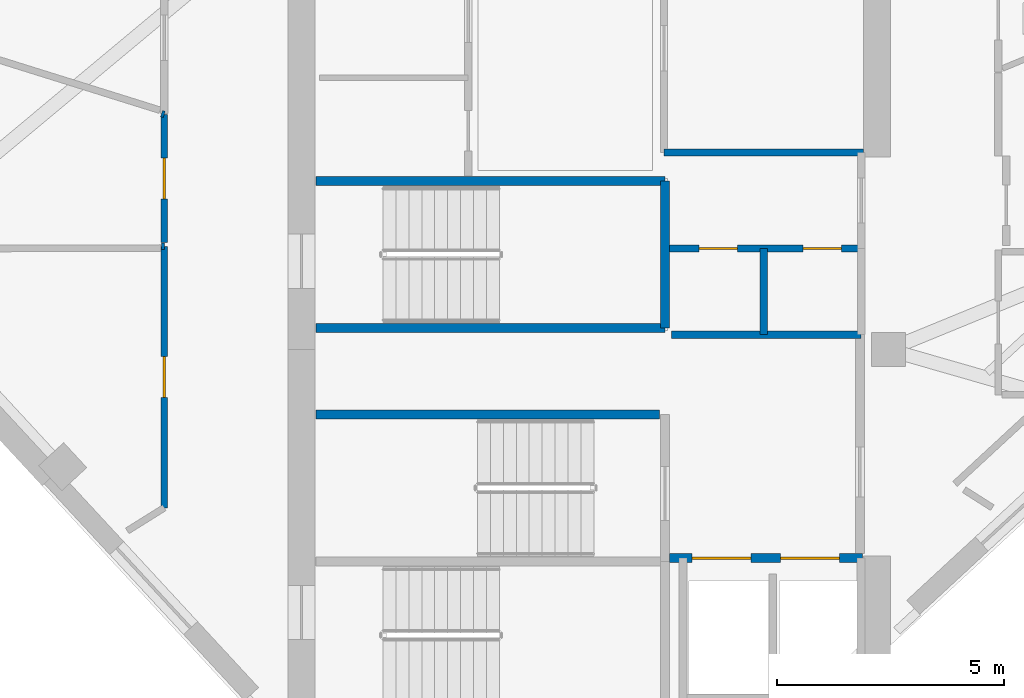
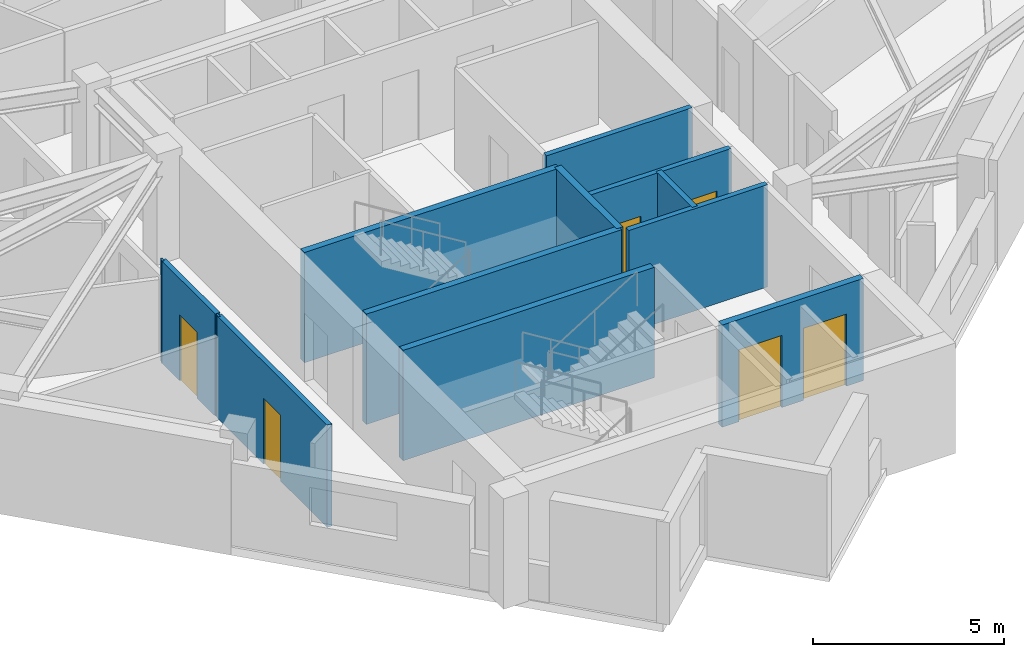
# One storey, part 8 of 13: 13 walls, 6 doors, 6 openings.
"""IFC4 building model written with IfcOpenShell, lengths in metres."""

from ifc_helpers import new_model, si_unit, direction, frame, frame_2d, origin, place, context, subcontext, project, spatial, rectangle, extrude, material, layer, layer_set, type_object, element, fill, save


model = new_model("IFC4")

# Units and contexts
model_context = context("Model", 3, precision=1e-05, world=origin(), true_north=direction((0.0, 1.0)))
body_context = subcontext(model_context, "Body", "Model", "MODEL_VIEW")
ifc_project = project(units=[si_unit("LENGTHUNIT", "METRE"), si_unit("AREAUNIT", "SQUARE_METRE"), si_unit("VOLUMEUNIT", "CUBIC_METRE"), si_unit("PLANEANGLEUNIT", "RADIAN"), si_unit("MASSUNIT", "GRAM", prefix="KILO")], contexts=[model_context])

# Site, building, storey
site_placement = place(None, origin())
site = spatial("IfcSite", under=ifc_project, at=site_placement, CompositionType="ELEMENT")
building_placement = place(site_placement, origin())
building = spatial("IfcBuilding", under=site, at=building_placement, Name="Narakoshi Arena Tower", CompositionType="ELEMENT")
storey_placement = place(building_placement, frame((0.0, 0.0, 271.300048828125)))
storey = spatial("IfcBuildingStorey", under=building, at=storey_placement, Name="L74", CompositionType="ELEMENT", Elevation=271.300048828125)

# Wall, openings, doors
ifc_material_1 = material(Name="Concrete C40/50", Category="concrete")
ifc_layer_1 = layer(ifc_material_1, 0.280029296875)
ifc_layer_set_1 = layer_set([ifc_layer_1], Name="Concrete C40/50")
wall_type_1 = type_object("IfcWallType", Name="WL-RISER-280", PredefinedType="PLUMBINGWALL", material=ifc_layer_set_1)
wall_1_placement = place(storey_placement, frame((80.719970703125, 45.580078125, 0.0), z_axis=(0.0, 0.0, 1.0), x_axis=(1.0, 0.0, 0.0)))
wall_1 = element("IfcWall", 1, at=wall_1_placement, inside=storey, type_object=wall_type_1, Name="L74 Core Wall RSR-N", PredefinedType="PLUMBINGWALL", context=body_context, shape_type="SweptSolid", body=[
    extrude(rectangle(XDim=4.22998046875, YDim=0.159912109375, at=frame_2d((2.114990234375, 0.0))), origin(), (0.0, 0.0, 1.0), 3.260009765625),
])
opening_1_placement = place(wall_1_placement, frame((0.64990234375, 0.0, 0.0)))
opening_1 = element("IfcOpeningElement", 2, at=opening_1_placement, cuts=wall_1, Name="Opening D-10", PredefinedType="OPENING", context=body_context, shape_type="SweptSolid", body=[
    extrude(rectangle(XDim=0.85009765625, YDim=2.050048828125, at=frame_2d((0.425048828125, 1.02490234375))), frame((0.0, 0.08984375, 0.0), z_axis=(0.0, -1.0, 0.0), x_axis=(1.0, 0.0, 0.0)), (0.0, 0.0, 1.0), 0.179931640625),
])
opening_2_placement = place(wall_1_placement, frame((2.949951171875, 0.0, 0.0)))
opening_2 = element("IfcOpeningElement", 3, at=opening_2_placement, cuts=wall_1, Name="Opening D-10", PredefinedType="OPENING", context=body_context, shape_type="SweptSolid", body=[
    extrude(rectangle(XDim=0.85009765625, YDim=2.050048828125, at=frame_2d((0.425048828125, 1.02490234375))), frame((0.0, 0.08984375, 0.0), z_axis=(0.0, -1.0, 0.0), x_axis=(1.0, 0.0, 0.0)), (0.0, 0.0, 1.0), 0.179931640625),
])
ifc_material_2 = material(Name="Painted galvanized steel", Category="steel")
door_type_1 = type_object("IfcDoorType", Name="DR-RSR-850", OperationType="NOTDEFINED", PredefinedType="DOOR", material=ifc_material_2)
door_1_placement = place(opening_1_placement, frame((0.85009765625, 0.0, 0.0), z_axis=(0.0, 0.0, 1.0), x_axis=(-1.0, 0.0, 0.0)))
door_1 = element("IfcDoor", 4, at=door_1_placement, inside=storey, type_object=door_type_1, Name="DR-L74-008", OperationType="SINGLE_SWING_LEFT", OverallHeight=2.050048828125, OverallWidth=0.85009765625, PredefinedType="DOOR", context=body_context, shape_type="SweptSolid", body=[
    extrude(rectangle(XDim=0.85009765625, YDim=2.050048828125, at=frame_2d((0.425048828125, 1.02490234375))), frame((0.0, 0.02490234375, 0.0), z_axis=(0.0, -1.0, 0.0), x_axis=(1.0, 0.0, 0.0)), (0.0, 0.0, 1.0), 0.050048828125),
])
fill(opening_1, door_1)
door_2_placement = place(opening_2_placement, frame((0.85009765625, 0.0, 0.0), z_axis=(0.0, 0.0, 1.0), x_axis=(-1.0, 0.0, 0.0)))
door_2 = element("IfcDoor", 5, at=door_2_placement, inside=storey, type_object=door_type_1, Name="DR-L74-009", OperationType="SINGLE_SWING_RIGHT", OverallHeight=2.050048828125, OverallWidth=0.85009765625, PredefinedType="DOOR", context=body_context, shape_type="SweptSolid", body=[
    extrude(rectangle(XDim=0.85009765625, YDim=2.050048828125, at=frame_2d((0.425048828125, 1.02490234375))), frame((0.0, 0.02490234375, 0.0), z_axis=(0.0, -1.0, 0.0), x_axis=(1.0, 0.0, 0.0)), (0.0, 0.0, 1.0), 0.050048828125),
])
fill(opening_2, door_2)

# Walls
wall_2_placement = place(storey_placement, frame((80.760009765625, 43.679931640625, 0.0), z_axis=(0.0, 0.0, 1.0), x_axis=(1.0, 0.0, 0.0)))
element("IfcWall", 6, at=wall_2_placement, inside=storey, type_object=wall_type_1, Name="L74 Core Wall RSR-S", PredefinedType="PLUMBINGWALL", context=body_context, shape_type="SweptSolid", body=[
    extrude(rectangle(XDim=4.18994140625, YDim=0.159912109375, at=frame_2d((2.094970703125, 0.0))), origin(), (0.0, 0.0, 1.0), 3.260009765625),
])
wall_3_placement = place(storey_placement, frame((82.800048828125, 43.679931640625, 0.0), z_axis=(0.0, 0.0, 1.0), x_axis=(0.0, 1.0, 0.0)))
element("IfcWall", 7, at=wall_3_placement, inside=storey, type_object=wall_type_1, Name="L74 Core Wall RSR-M", PredefinedType="PLUMBINGWALL", context=body_context, shape_type="SweptSolid", body=[
    extrude(rectangle(XDim=1.900146484375, YDim=0.159912109375, at=frame_2d((0.9501953125, 0.0))), origin(), (0.0, 0.0, 1.0), 3.260009765625),
])

# Wall, openings, doors
ifc_material_3 = material(Name="Concrete C50/60", Category="concrete")
ifc_layer_2 = layer(ifc_material_3, 0.35009765625)
ifc_layer_set_2 = layer_set([ifc_layer_2], Name="Concrete C50/60")
wall_type_2 = type_object("IfcWallType", Name="WL-SHAFT-350", PredefinedType="SOLIDWALL", material=ifc_layer_set_2)
wall_4_placement = place(storey_placement, frame((80.719970703125, 38.75, 0.0), z_axis=(0.0, 0.0, 1.0), x_axis=(1.0, 0.0, 0.0)))
wall_4 = element("IfcWall", 8, at=wall_4_placement, inside=storey, type_object=wall_type_2, Name="L74 Core Wall FF-N", PredefinedType="SOLIDWALL", context=body_context, shape_type="SweptSolid", body=[
    extrude(rectangle(XDim=4.260009765625, YDim=0.199951171875, at=frame_2d((2.1298828125, 0.0))), origin(), (0.0, 0.0, 1.0), 3.260009765625),
])
opening_3_placement = place(wall_4_placement, frame((0.5, 0.0, 0.0)))
opening_3 = element("IfcOpeningElement", 9, at=opening_3_placement, cuts=wall_4, Name="Opening LD-02", PredefinedType="OPENING", context=body_context, shape_type="SweptSolid", body=[
    extrude(rectangle(XDim=1.300048828125, YDim=2.300048828125, at=frame_2d((0.64990234375, 1.14990234375))), frame((0.0, 0.10986328125, 0.0), z_axis=(0.0, -1.0, 0.0), x_axis=(1.0, 0.0, 0.0)), (0.0, 0.0, 1.0), 0.219970703125),
])
opening_4_placement = place(wall_4_placement, frame((2.449951171875, 0.0, 0.0)))
opening_4 = element("IfcOpeningElement", 10, at=opening_4_placement, cuts=wall_4, Name="Opening LD-02", PredefinedType="OPENING", context=body_context, shape_type="SweptSolid", body=[
    extrude(rectangle(XDim=1.300048828125, YDim=2.300048828125, at=frame_2d((0.64990234375, 1.14990234375))), frame((0.0, 0.10986328125, 0.0), z_axis=(0.0, -1.0, 0.0), x_axis=(1.0, 0.0, 0.0)), (0.0, 0.0, 1.0), 0.219970703125),
])
ifc_material_4 = material(Name="Brushed bronze stainless steel", Category="steel")
door_type_2 = type_object("IfcDoorType", Name="DR-LFT-1300", OperationType="DOUBLE_DOOR_SLIDING", PredefinedType="DOOR", material=ifc_material_4)
door_3_placement = place(opening_3_placement, origin())
door_3 = element("IfcDoor", 11, at=door_3_placement, inside=storey, type_object=door_type_2, Name="DR-L74-003", OperationType="DOUBLE_DOOR_SLIDING", OverallHeight=2.300048828125, OverallWidth=1.300048828125, PredefinedType="DOOR", context=body_context, shape_type="SweptSolid", body=[
    extrude(rectangle(XDim=1.300048828125, YDim=2.300048828125, at=frame_2d((0.64990234375, 1.14990234375))), frame((0.0, 0.02490234375, 0.0), z_axis=(0.0, -1.0, 0.0), x_axis=(1.0, 0.0, 0.0)), (0.0, 0.0, 1.0), 0.050048828125),
])
fill(opening_3, door_3)
door_4_placement = place(opening_4_placement, origin())
door_4 = element("IfcDoor", 12, at=door_4_placement, inside=storey, type_object=door_type_2, Name="DR-L74-004", OperationType="DOUBLE_DOOR_SLIDING", OverallHeight=2.300048828125, OverallWidth=1.300048828125, PredefinedType="DOOR", context=body_context, shape_type="SweptSolid", body=[
    extrude(rectangle(XDim=1.300048828125, YDim=2.300048828125, at=frame_2d((0.64990234375, 1.14990234375))), frame((0.0, 0.02490234375, 0.0), z_axis=(0.0, -1.0, 0.0), x_axis=(1.0, 0.0, 0.0)), (0.0, 0.0, 1.0), 0.050048828125),
])
fill(opening_4, door_4)

# Walls
wall_5_placement = place(storey_placement, frame((72.919921875, 41.919921875, -0.260009765625), z_axis=(0.0, 0.0, 1.0), x_axis=(1.0, 0.0, 0.0)))
element("IfcWall", 13, at=wall_5_placement, inside=storey, type_object=wall_type_2, Name="L74 Core Wall ST2-N", PredefinedType="SOLIDWALL", context=body_context, shape_type="SweptSolid", body=[
    extrude(rectangle(XDim=7.580078125, YDim=0.199951171875, at=frame_2d((3.7900390625, 0.0))), origin(), (0.0, 0.0, 1.0), 3.52001953125),
])
for number, where, z_axis, x_axis, name in (
    (14, (72.919921875, 43.830078125, -0.260009765625), (0.0, 0.0, 1.0), (1.0, 0.0, 0.0), "L74 Core Wall ST3-S"),
    (15, (72.919921875, 47.070068359375, -0.260009765625), (0.0, 0.0, 1.0), (1.0, 0.0, 0.0), "L74 Core Wall ST3-N"),
):
    element("IfcWall", number, at=place(storey_placement, frame(where, z_axis=z_axis, x_axis=x_axis)), inside=storey, type_object=wall_type_2, Name=name, PredefinedType="SOLIDWALL", context=body_context, shape_type="SweptSolid", body=[
        extrude(rectangle(XDim=7.7001953125, YDim=0.199951171875, at=frame_2d((3.85009765625, 0.0))), origin(), (0.0, 0.0, 1.0), 3.52001953125),
    ])
wall_6_placement = place(storey_placement, frame((80.6201171875, 43.830078125, -0.260009765625), z_axis=(0.0, 0.0, 1.0), x_axis=(0.0, 1.0, 0.0)))
element("IfcWall", 16, at=wall_6_placement, inside=storey, type_object=wall_type_2, Name="L74 Core Wall ST3-E", PredefinedType="SOLIDWALL", context=body_context, shape_type="SweptSolid", body=[
    extrude(rectangle(XDim=3.239990234375, YDim=0.199951171875, at=frame_2d((1.6201171875, 0.0))), origin(), (0.0, 0.0, 1.0), 3.52001953125),
])
wall_7_placement = place(storey_placement, frame((80.60009765625, 47.699951171875, 0.0), z_axis=(0.0, 0.0, 1.0), x_axis=(1.0, 0.0, 0.0)))
element("IfcWall", 17, at=wall_7_placement, inside=storey, type_object=wall_type_2, Name="L74 Core Wall MR-S", PredefinedType="SOLIDWALL", context=body_context, shape_type="SweptSolid", body=[
    extrude(rectangle(XDim=4.39990234375, YDim=0.159912109375, at=frame_2d((2.199951171875, 0.0))), origin(), (0.0, 0.0, 1.0), 3.260009765625),
])

# Wall, opening, door
ifc_material_5 = material(Name="Moisture-resistant cement-board partition")
ifc_layer_3 = layer(ifc_material_5, 0.14501953125)
ifc_layer_set_3 = layer_set([ifc_layer_3], Name="Moisture-resistant cement-board partition")
wall_type_3 = type_object("IfcWallType", Name="WL-WET-145", PredefinedType="PARTITIONING", material=ifc_layer_set_3)
wall_8_placement = place(storey_placement, frame((69.573486328125, 45.62841796875, 0.0), z_axis=(0.0, 0.0, 1.0), x_axis=(0.0, -1.0, 0.0)))
wall_8 = element("IfcWall", 18, at=wall_8_placement, inside=storey, type_object=wall_type_3, Name="L74 Corridor Partition 01-1", PredefinedType="PARTITIONING", context=body_context, shape_type="SweptSolid", body=[
    extrude(rectangle(XDim=5.767333984375, YDim=0.14501953125, at=frame_2d((2.8837890625, 0.0))), origin(), (0.0, 0.0, 1.0), 3.260009765625),
])
opening_5_placement = place(wall_8_placement, frame((2.43359375, 0.0, 0.0)))
opening_5 = element("IfcOpeningElement", 19, at=opening_5_placement, cuts=wall_8, Name="Opening D-08", PredefinedType="OPENING", context=body_context, shape_type="SweptSolid", body=[
    extrude(rectangle(XDim=0.89990234375, YDim=2.10009765625, at=frame_2d((0.449951171875, 1.050048828125))), frame((0.0, 0.08251953125, 0.0), z_axis=(0.0, -1.0, 0.0), x_axis=(1.0, 0.0, 0.0)), (0.0, 0.0, 1.0), 0.1650390625),
])
ifc_material_6 = material(Name="Moisture-resistant laminate timber", Category="wood")
door_type_3 = type_object("IfcDoorType", Name="DR-WC-900", OperationType="NOTDEFINED", PredefinedType="DOOR", material=ifc_material_6)
door_5_placement = place(opening_5_placement, frame((0.89990234375, 0.0, 0.0), z_axis=(0.0, 0.0, 1.0), x_axis=(-1.0, 0.0, 0.0)))
door_5 = element("IfcDoor", 20, at=door_5_placement, inside=storey, type_object=door_type_3, Name="DR-L74-016", OperationType="SINGLE_SWING_RIGHT", OverallHeight=2.10009765625, OverallWidth=0.89990234375, PredefinedType="DOOR", context=body_context, shape_type="SweptSolid", body=[
    extrude(rectangle(XDim=0.89990234375, YDim=2.10009765625, at=frame_2d((0.449951171875, 1.050048828125))), frame((0.0, 0.02490234375, 0.0), z_axis=(0.0, -1.0, 0.0), x_axis=(1.0, 0.0, 0.0)), (0.0, 0.0, 1.0), 0.050048828125),
])
fill(opening_5, door_5)

# Wall
wall_9_placement = place(storey_placement, frame((69.513671875, 45.62841796875, 0.0), z_axis=(0.0, 0.0, 1.0), x_axis=(1.0, 0.0, 0.0)))
element("IfcWall", 21, at=wall_9_placement, inside=storey, type_object=wall_type_3, Name="L74 Corridor Partition 01-2", PredefinedType="PARTITIONING", context=body_context, shape_type="SweptSolid", body=[
    extrude(rectangle(XDim=0.059814453125, YDim=0.14501953125, at=frame_2d((0.02978515625, 0.0))), origin(), (0.0, 0.0, 1.0), 3.260009765625),
])

# Wall, opening, door
wall_10_placement = place(storey_placement, frame((69.573486328125, 48.539794921875, 0.0), z_axis=(0.0, 0.0, 1.0), x_axis=(0.0, -1.0, 0.0)))
wall_10 = element("IfcWall", 22, at=wall_10_placement, inside=storey, type_object=wall_type_3, Name="L74 Corridor Partition 09-1", PredefinedType="PARTITIONING", context=body_context, shape_type="SweptSolid", body=[
    extrude(rectangle(XDim=2.826904296875, YDim=0.14501953125, at=frame_2d((1.41357421875, 0.0))), origin(), (0.0, 0.0, 1.0), 3.260009765625),
])
opening_6_placement = place(wall_10_placement, frame((0.96337890625, 0.0, 0.0)))
opening_6 = element("IfcOpeningElement", 23, at=opening_6_placement, cuts=wall_10, Name="Opening D-08", PredefinedType="OPENING", context=body_context, shape_type="SweptSolid", body=[
    extrude(rectangle(XDim=0.89990234375, YDim=2.10009765625, at=frame_2d((0.449951171875, 1.050048828125))), frame((0.0, 0.08251953125, 0.0), z_axis=(0.0, -1.0, 0.0), x_axis=(1.0, 0.0, 0.0)), (0.0, 0.0, 1.0), 0.1650390625),
])
door_6_placement = place(opening_6_placement, frame((0.89990234375, 0.0, 0.0), z_axis=(0.0, 0.0, 1.0), x_axis=(-1.0, 0.0, 0.0)))
door_6 = element("IfcDoor", 24, at=door_6_placement, inside=storey, type_object=door_type_3, Name="DR-L74-024", OperationType="SINGLE_SWING_RIGHT", OverallHeight=2.10009765625, OverallWidth=0.89990234375, PredefinedType="DOOR", context=body_context, shape_type="SweptSolid", body=[
    extrude(rectangle(XDim=0.89990234375, YDim=2.10009765625, at=frame_2d((0.449951171875, 1.050048828125))), frame((0.0, 0.02490234375, 0.0), z_axis=(0.0, -1.0, 0.0), x_axis=(1.0, 0.0, 0.0)), (0.0, 0.0, 1.0), 0.050048828125),
])
fill(opening_6, door_6)

# Wall
wall_11_placement = place(storey_placement, frame((69.513671875, 48.558837890625, 0.0), z_axis=(0.0, 0.0, 1.0), x_axis=(0.952874687709, -0.303364186291, 0.0)))
element("IfcWall", 25, at=wall_11_placement, inside=storey, type_object=wall_type_3, Name="L74 Corridor Partition 09-2", PredefinedType="PARTITIONING", context=body_context, shape_type="SweptSolid", body=[
    extrude(rectangle(XDim=0.062744140625, YDim=0.14501953125, at=frame_2d((0.03125, 0.0))), origin(), (0.0, 0.0, 1.0), 3.260009765625),
])

save(model, "model.ifc")
